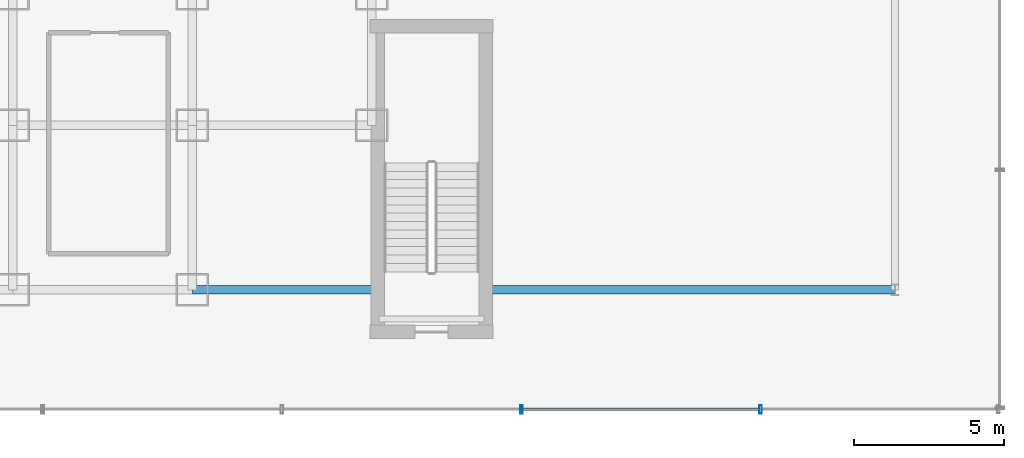
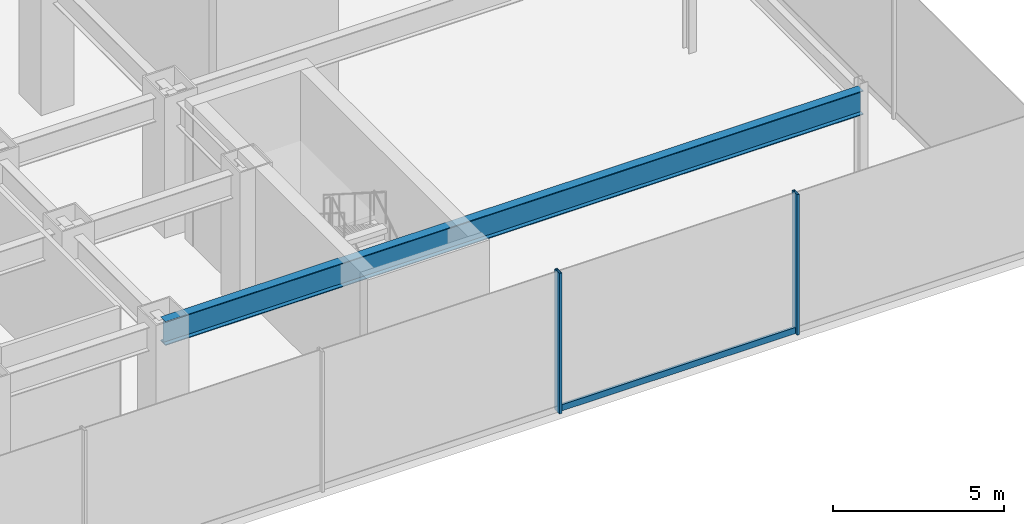
# One storey, part 19 of 39: 3 members, 1 beam, 1 element without a shape of its own.
"""IFC4 building model written with IfcOpenShell, lengths in metres."""

from ifc_helpers import new_model, si_unit, derived_unit, direction, frame, origin, origin_2d, place, context, subcontext, project, spatial, hollow_rectangle, i_section, extrude, source, transform, mapped, material, material_profile, profile_set, type_object, element, aggregate, save


model = new_model("IFC4")

# Units and contexts
model_context = context("Model", 3, precision=1e-05, world=origin(), true_north=direction((0.0, 1.0)))
body_context = subcontext(model_context, "Body", "Model", "MODEL_VIEW")
ifc_project = project(units=[si_unit("LENGTHUNIT", "METRE"), si_unit("AREAUNIT", "SQUARE_METRE"), si_unit("VOLUMEUNIT", "CUBIC_METRE"), si_unit("PLANEANGLEUNIT", "RADIAN"), si_unit("MASSUNIT", "GRAM", prefix="KILO"), derived_unit("THERMALTRANSMITTANCEUNIT", [(si_unit("POWERUNIT", "WATT"), 1), (si_unit("LENGTHUNIT", "METRE"), -2), (si_unit("THERMODYNAMICTEMPERATUREUNIT", "KELVIN"), -1)])], contexts=[model_context])

# Site, building, storey
site_placement = place(None, origin())
site = spatial("IfcSite", under=ifc_project, at=site_placement, CompositionType="ELEMENT")
building_placement = place(site_placement, origin())
building = spatial("IfcBuilding", under=site, at=building_placement, Name="Skarnbrae Concourse Arena and Tower", CompositionType="ELEMENT")
storey_placement = place(building_placement, frame((0.0, 0.0, 16.0)))
storey = spatial("IfcBuildingStorey", under=building, at=storey_placement, Name="L03", CompositionType="ELEMENT", Elevation=16.0)

# Beam
ifc_material_1 = material(Name="Steel CSA G40.21 350W", Category="steel")
ifc_material_profile_1 = material_profile(ifc_material_1, i_section(OverallWidth=0.2939453125, OverallDepth=0.85107421875, WebThickness=0.01611328125, FlangeThickness=0.02685546875, at=origin_2d()), Name="W840X226")
ifc_profile_set_1 = profile_set([ifc_material_profile_1], Name="Steel CSA G40.21 350W")
beam_type = type_object("IfcBeamType", Name="BM-GIRD-W840X226", PredefinedType="BEAM", material=ifc_profile_set_1)
shared_shape_1 = source(origin(), body_context, "Body", "SweptSolid", [
    extrude(i_section(OverallWidth=0.2939453125, OverallDepth=0.85107421875, WebThickness=0.01611328125, FlangeThickness=0.02685546875, at=origin_2d()), origin(), (0.0, 0.0, 1.0), 23.5),
])
beam_placement = place(storey_placement, frame((55.0, 4.0, 4.2744140625), z_axis=(1.0, 0.0, 0.0), x_axis=(0.0, 1.0, 0.0)))
element("IfcBeam", 1, at=beam_placement, inside=storey, type_object=beam_type, Name="L03 South-east girder 4", PredefinedType="BEAM", context=body_context, shape_type="MappedRepresentation", body=[
    mapped(shared_shape_1, transform((0.0, 0.0, 0.0))),
])

# Curtain wall, members
ifc_material_2 = material(Name="Bronze anodised aluminium 6063-T6", Category="aluminium")
curtain_wall_type = type_object("IfcCurtainWallType", Name="CW-SYS-01-PODIUM", PredefinedType="USERDEFINED", material=ifc_material_2)
curtain_wall_placement = place(storey_placement, origin())
curtain_wall = element("IfcCurtainWall", 2, at=curtain_wall_placement, inside=storey, type_object=curtain_wall_type, Name="L03 Unitised curtain wall CW-L03-SE", ObjectType="UNITISED CURTAIN WALL", PredefinedType="USERDEFINED")
ifc_material_profile_2 = material_profile(ifc_material_2, hollow_rectangle(XDim=0.0849609375, YDim=0.280029296875, WallThickness=0.006103515625, at=origin_2d()), Name="ALU-MULL-85X280")
ifc_profile_set_2 = profile_set([ifc_material_profile_2], Name="Bronze anodised aluminium 6063-T6")
member_type_1 = type_object("IfcMemberType", Name="CWM-CW-01", PredefinedType="MULLION", material=ifc_profile_set_2)
shared_shape_2 = source(origin(), body_context, "Body", "SweptSolid", [
    extrude(hollow_rectangle(XDim=0.0849609375, YDim=0.280029296875, WallThickness=0.006103515625, at=origin_2d()), origin(), (0.0, 0.0, 1.0), 5.0),
])
member_1_placement = place(storey_placement, frame((66.0, 0.0, 0.0), z_axis=(0.0, 0.0, 1.0), x_axis=(1.0, 0.0, 0.0)))
member_1 = element("IfcMember", 3, at=member_1_placement, type_object=member_type_1, Name="CW-L03-SE Mullion 5", PredefinedType="MULLION", context=body_context, shape_type="MappedRepresentation", body=[
    mapped(shared_shape_2, transform((0.0, 0.0, 0.0))),
])
member_2_placement = place(storey_placement, frame((74.0, 0.0, 0.0), z_axis=(0.0, 0.0, 1.0), x_axis=(1.0, 0.0, 0.0)))
member_2 = element("IfcMember", 4, at=member_2_placement, type_object=member_type_1, Name="CW-L03-SE Mullion 6", PredefinedType="MULLION", context=body_context, shape_type="MappedRepresentation", body=[
    mapped(shared_shape_2, transform((0.0, 0.0, 0.0))),
])
ifc_material_profile_3 = material_profile(ifc_material_2, hollow_rectangle(XDim=0.0849609375, YDim=0.219970703125, WallThickness=0.006103515625, at=origin_2d()), Name="ALU-TRAN-85X220")
ifc_profile_set_3 = profile_set([ifc_material_profile_3], Name="Bronze anodised aluminium 6063-T6")
member_type_2 = type_object("IfcMemberType", Name="CWT-CW-01", PredefinedType="USERDEFINED", material=ifc_profile_set_3)
shared_shape_3 = source(origin(), body_context, "Body", "SweptSolid", [
    extrude(hollow_rectangle(XDim=0.0849609375, YDim=0.219970703125, WallThickness=0.006103515625, at=origin_2d()), origin(), (0.0, 0.0, 1.0), 7.9150390625),
])
member_3_placement = place(storey_placement, frame((66.04248046875, 0.0, 0.110107421875), z_axis=(1.0, 0.0, 0.0), x_axis=(0.0, 1.0, 0.0)))
member_3 = element("IfcMember", 5, at=member_3_placement, type_object=member_type_2, Name="CW-L03-SE Transom 5", ObjectType="TRANSOM", PredefinedType="USERDEFINED", context=body_context, shape_type="MappedRepresentation", body=[
    mapped(shared_shape_3, transform((0.0, 0.0, 0.0))),
])
aggregate(curtain_wall, [member_1, member_2, member_3])

save(model, "model.ifc")
